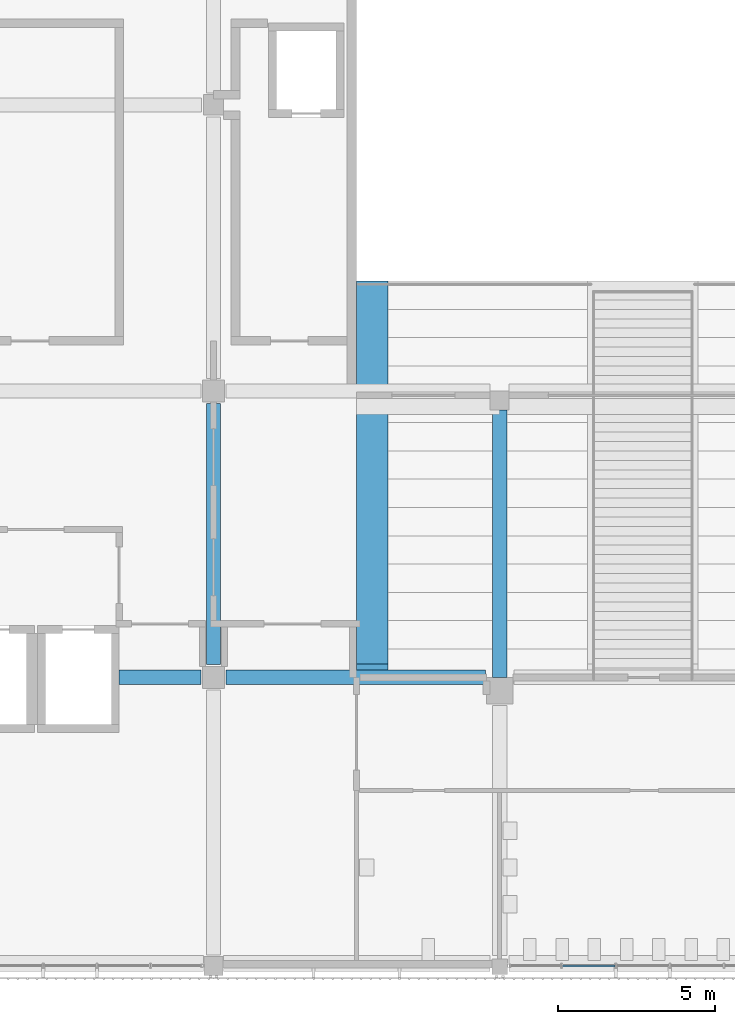
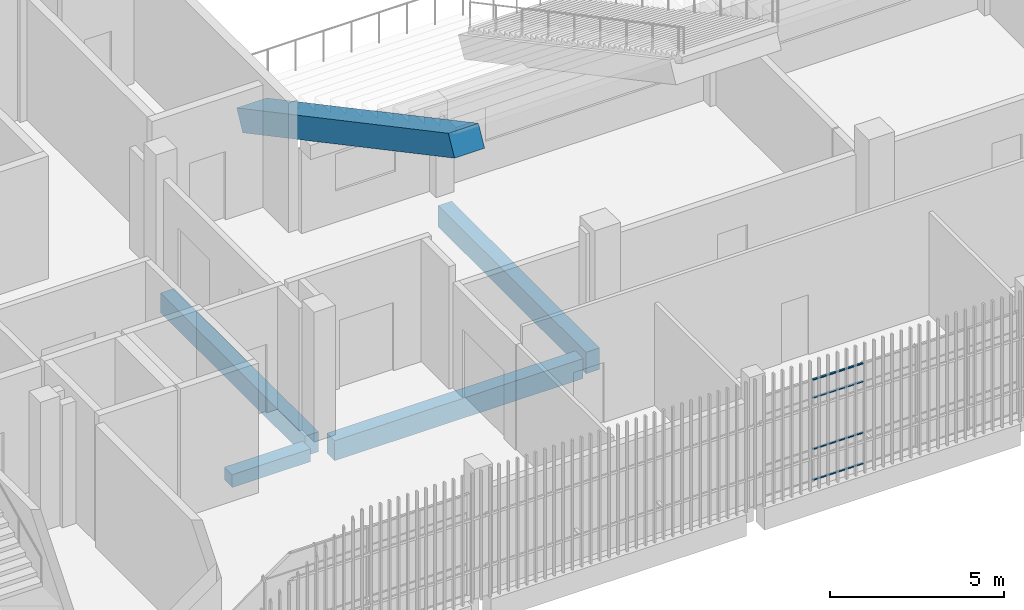
# One storey, part 11 of 139: 5 beams, 4 members, 1 element without a shape of its own.
"""IFC4 building model written with IfcOpenShell, lengths in metres."""

from ifc_helpers import new_model, si_unit, direction, frame, origin, origin_2d, place, context, subcontext, project, spatial, rectangle, hollow_rectangle, extrude, material, layer, layer_set, material_profile, profile_set, type_object, element, aggregate, save


model = new_model("IFC4")

# Units and contexts
model_context = context("Model", 3, precision=1e-05, world=origin(), true_north=direction((0.0, 1.0)))
body_context = subcontext(model_context, "Body", "Model", "MODEL_VIEW")
ifc_project = project(units=[si_unit("LENGTHUNIT", "METRE"), si_unit("AREAUNIT", "SQUARE_METRE"), si_unit("VOLUMEUNIT", "CUBIC_METRE"), si_unit("PLANEANGLEUNIT", "RADIAN"), si_unit("MASSUNIT", "GRAM", prefix="KILO")], contexts=[model_context])

# Site, building, storey
site_placement = place(None, origin())
site = spatial("IfcSite", under=ifc_project, at=site_placement, CompositionType="ELEMENT")
building_placement = place(site_placement, origin())
building = spatial("IfcBuilding", under=site, at=building_placement, Name="Shirokan Park Arena", CompositionType="ELEMENT")
storey_placement = place(building_placement, frame((0.0, 0.0, 15.469970703125)))
storey = spatial("IfcBuildingStorey", under=building, at=storey_placement, Name="L03", CompositionType="ELEMENT", Elevation=15.469970703125)

# Beams
ifc_material_1 = material(Name="Concrete C35", Category="concrete")
ifc_material_profile_1 = material_profile(ifc_material_1, rectangle(XDim=1.0, YDim=0.75, at=origin_2d()), Name="1000x750")
ifc_profile_set_1 = profile_set([ifc_material_profile_1], Name="Concrete C35")
beam_type_1 = type_object("IfcBeamType", Name="RC end raker 1000x750", PredefinedType="USERDEFINED", material=ifc_profile_set_1)
beam_1_placement = place(storey_placement, frame((41.449951171875, 21.5234375, 1.822509765625), z_axis=(0.0, -0.882353431028, 0.470587316821), x_axis=(1.0, 0.0, 0.0)))
element("IfcBeam", 1, at=beam_1_placement, inside=storey, type_object=beam_type_1, Name="End raker upper S 1", ObjectType="END RAKER BEAM", PredefinedType="USERDEFINED", context=body_context, shape_type="SweptSolid", body=[
    extrude(rectangle(XDim=1.0, YDim=0.75, at=origin_2d()), origin(), (0.0, 0.0, 1.0), 13.79638671875),
])
ifc_material_profile_2 = material_profile(ifc_material_1, rectangle(XDim=0.449951171875, YDim=0.699951171875, at=origin_2d()), Name="450x700")
ifc_profile_set_2 = profile_set([ifc_material_profile_2], Name="Concrete C35")
beam_type_2 = type_object("IfcBeamType", Name="RC girder 450x700", PredefinedType="BEAM", material=ifc_profile_set_2)
beam_2_placement = place(storey_placement, frame((36.800048828125, 9.10009765625, -0.64990234375), z_axis=(1.0, 0.0, 0.0), x_axis=(0.0, 1.0, 0.0)))
element("IfcBeam", 2, at=beam_2_placement, inside=storey, type_object=beam_type_2, Name="Girder 5B-6B L03", PredefinedType="BEAM", context=body_context, shape_type="SweptSolid", body=[
    extrude(rectangle(XDim=0.449951171875, YDim=0.699951171875, at=origin_2d()), origin(), (0.0, 0.0, 1.0), 8.249755859375),
])
beam_3_placement = place(storey_placement, frame((36.39990234375, 9.5, -0.64990234375), z_axis=(0.0, 1.0, 0.0), x_axis=(-1.0, 0.0, 0.0)))
element("IfcBeam", 3, at=beam_3_placement, inside=storey, type_object=beam_type_2, Name="Girder 5B-5C L03", PredefinedType="BEAM", context=body_context, shape_type="SweptSolid", body=[
    extrude(rectangle(XDim=0.449951171875, YDim=0.699951171875, at=origin_2d()), origin(), (0.0, 0.0, 1.0), 8.2998046875),
])
ifc_material_profile_3 = material_profile(ifc_material_1, rectangle(XDim=0.449951171875, YDim=0.75, at=origin_2d()), Name="450x750")
ifc_profile_set_3 = profile_set([ifc_material_profile_3], Name="Concrete C35")
beam_type_3 = type_object("IfcBeamType", Name="RC girder 450x750", PredefinedType="BEAM", material=ifc_profile_set_3)
beam_4_placement = place(storey_placement, frame((45.5, 9.10009765625, -0.675048828125), z_axis=(0.0, 1.0, 0.0), x_axis=(-1.0, 0.0, 0.0)))
element("IfcBeam", 4, at=beam_4_placement, inside=storey, type_object=beam_type_3, Name="Girder 6B-6C L03", PredefinedType="BEAM", context=body_context, shape_type="SweptSolid", body=[
    extrude(rectangle(XDim=0.449951171875, YDim=0.75, at=origin_2d()), origin(), (0.0, 0.0, 1.0), 8.499755859375),
])
ifc_material_profile_4 = material_profile(ifc_material_1, rectangle(XDim=0.449951171875, YDim=0.449951171875, at=origin_2d()), Name="450x450")
ifc_profile_set_4 = profile_set([ifc_material_profile_4], Name="Concrete C35")
beam_type_4 = type_object("IfcBeamType", Name="RC trimmer 450x450", PredefinedType="BEAM", material=ifc_profile_set_4)
beam_5_placement = place(storey_placement, frame((33.39990234375, 9.10009765625, -0.52490234375), z_axis=(1.0, 0.0, 0.0), x_axis=(0.0, 1.0, 0.0)))
element("IfcBeam", 5, at=beam_5_placement, inside=storey, type_object=beam_type_4, Name="Girder 4B-5B L03", PredefinedType="BEAM", context=body_context, shape_type="SweptSolid", body=[
    extrude(rectangle(XDim=0.449951171875, YDim=0.449951171875, at=origin_2d()), origin(), (0.0, 0.0, 1.0), 2.60009765625),
])

# Curtain wall, members
ifc_material_2 = material(Name="Steel and glass curtain wall", Category="steel")
ifc_layer = layer(ifc_material_2, 0.14990234375)
ifc_layer_set = layer_set([ifc_layer], Name="Steel and glass curtain wall 150 mm")
curtain_wall_type = type_object("IfcCurtainWallType", Name="Curtain wall exposed bay 150", PredefinedType="NOTDEFINED", material=ifc_layer_set)
curtain_wall_placement = place(storey_placement, origin())
curtain_wall = element("IfcCurtainWall", 6, at=curtain_wall_placement, inside=storey, type_object=curtain_wall_type, Name="Curtain wall south bay 6 L03", PredefinedType="NOTDEFINED")
ifc_material_3 = material(Name="Steel S355", Category="steel")
ifc_material_profile_5 = material_profile(ifc_material_3, hollow_rectangle(XDim=0.06005859375, YDim=0.0400390625, WallThickness=0.00390625, at=origin_2d()), Name="RHS 60x40x4")
ifc_profile_set_5 = profile_set([ifc_material_profile_5], Name="Steel S355")
member_type = type_object("IfcMemberType", Name="Transom RHS 60x40x4", PredefinedType="MULLION", material=ifc_profile_set_5)
member_1_placement = place(storey_placement, frame((47.4951171875, -0.074951171875, 0.02001953125), z_axis=(1.0, 0.0, 0.0), x_axis=(0.0, 1.0, 0.0)))
member_1 = element("IfcMember", 7, at=member_1_placement, type_object=member_type, Name="CW1 transom 2.1", PredefinedType="MULLION", context=body_context, shape_type="SweptSolid", body=[
    extrude(hollow_rectangle(XDim=0.06005859375, YDim=0.0400390625, WallThickness=0.00390625, at=origin_2d()), origin(), (0.0, 0.0, 1.0), 1.669921875),
])
member_2_placement = place(storey_placement, frame((47.4951171875, -0.074951171875, 1.10009765625), z_axis=(1.0, 0.0, 0.0), x_axis=(0.0, 1.0, 0.0)))
member_2 = element("IfcMember", 8, at=member_2_placement, type_object=member_type, Name="CW1 transom 2.2", PredefinedType="MULLION", context=body_context, shape_type="SweptSolid", body=[
    extrude(hollow_rectangle(XDim=0.06005859375, YDim=0.0400390625, WallThickness=0.00390625, at=origin_2d()), origin(), (0.0, 0.0, 1.0), 1.669921875),
])
member_3_placement = place(storey_placement, frame((47.4951171875, -0.074951171875, 2.900146484375), z_axis=(1.0, 0.0, 0.0), x_axis=(0.0, 1.0, 0.0)))
member_3 = element("IfcMember", 9, at=member_3_placement, type_object=member_type, Name="CW1 transom 2.3", PredefinedType="MULLION", context=body_context, shape_type="SweptSolid", body=[
    extrude(hollow_rectangle(XDim=0.06005859375, YDim=0.0400390625, WallThickness=0.00390625, at=origin_2d()), origin(), (0.0, 0.0, 1.0), 1.669921875),
])
member_4_placement = place(storey_placement, frame((47.4951171875, -0.074951171875, 3.530029296875), z_axis=(1.0, 0.0, 0.0), x_axis=(0.0, 1.0, 0.0)))
member_4 = element("IfcMember", 10, at=member_4_placement, type_object=member_type, Name="CW1 transom 2.4", PredefinedType="MULLION", context=body_context, shape_type="SweptSolid", body=[
    extrude(hollow_rectangle(XDim=0.06005859375, YDim=0.0400390625, WallThickness=0.00390625, at=origin_2d()), origin(), (0.0, 0.0, 1.0), 1.669921875),
])
aggregate(curtain_wall, [member_1, member_2, member_3, member_4])

save(model, "model.ifc")
